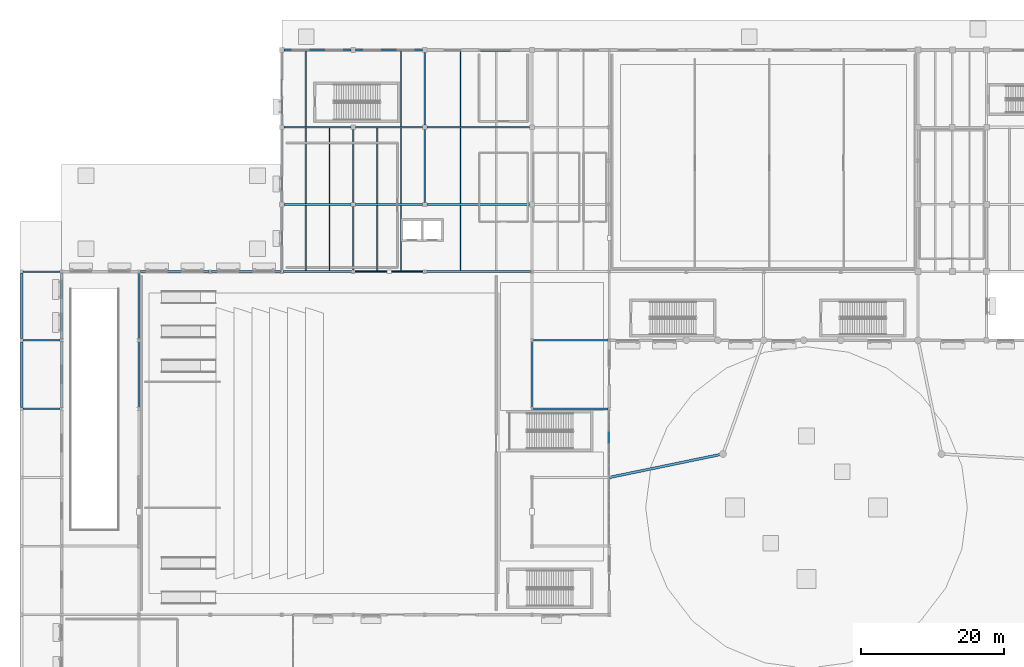
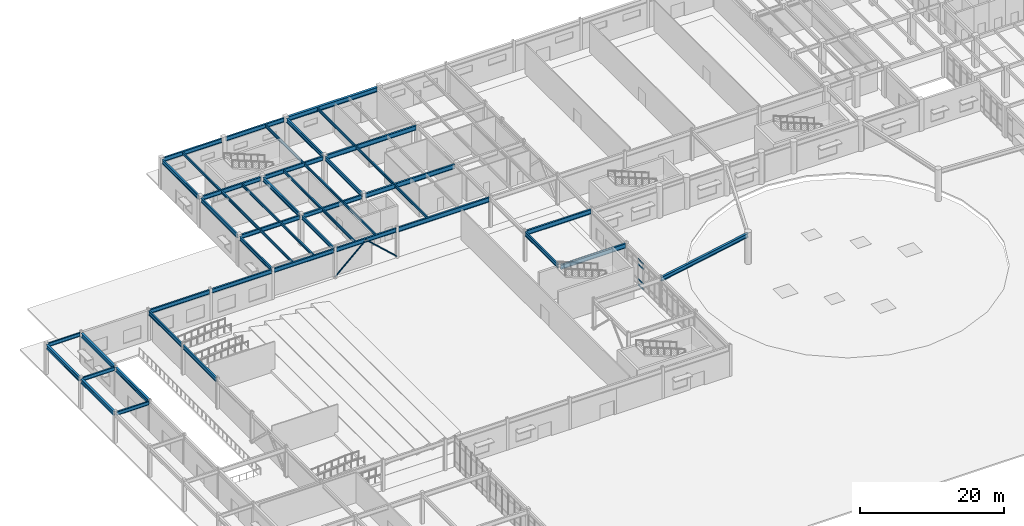
# One storey, part 15 of 54: 47 beams, 6 members, 1 element without a shape of its own.
"""IFC4 building model written with IfcOpenShell, lengths in metres."""

from ifc_helpers import new_model, si_unit, direction, frame, origin, origin_2d, place, context, subcontext, project, spatial, rectangle, hollow_circle, i_section, extrude, material, material_profile, profile_set, type_object, element, aggregate, save


model = new_model("IFC4")

# Units and contexts
model_context = context("Model", 3, precision=1e-05, world=origin(), true_north=direction((0.0, 1.0)))
body_context = subcontext(model_context, "Body", "Model", "MODEL_VIEW")
ifc_project = project(units=[si_unit("LENGTHUNIT", "METRE"), si_unit("AREAUNIT", "SQUARE_METRE"), si_unit("VOLUMEUNIT", "CUBIC_METRE"), si_unit("PLANEANGLEUNIT", "RADIAN"), si_unit("MASSUNIT", "GRAM", prefix="KILO")], contexts=[model_context])

# Site, building, storey
site_placement = place(None, origin())
site = spatial("IfcSite", under=ifc_project, at=site_placement, CompositionType="ELEMENT")
building_placement = place(site_placement, origin())
building = spatial("IfcBuilding", under=site, at=building_placement, Name="Veldera Park Congress Hotel", CompositionType="ELEMENT")
storey_placement = place(building_placement, origin())
storey = spatial("IfcBuildingStorey", under=building, at=storey_placement, Name="L00", CompositionType="ELEMENT", Elevation=0.0)

# Beams
ifc_material_1 = material(Name="Steel ASTM A992 Gr.50", Category="steel")
ifc_material_profile_1 = material_profile(ifc_material_1, i_section(OverallWidth=0.22900390625, OverallDepth=0.612060546875, WebThickness=0.011962890625, FlangeThickness=0.01953125, at=origin_2d()), Name="W24X84")
ifc_profile_set_1 = profile_set([ifc_material_profile_1], Name="Steel ASTM A992 Gr.50")
beam_type_1 = type_object("IfcBeamType", Name="BM-W24", PredefinedType="BEAM", material=ifc_profile_set_1)
for number, where, z_axis, x_axis, name in (
    (1, (-83.574951171875, 7.800048828125, 4.81396484375), (1.0, 0.0, 0.0), (0.0, 1.0, 0.0), "L00 Girder BM-W24 319"),
    (2, (-83.574951171875, 17.39990234375, 4.81396484375), (1.0, 0.0, 0.0), (0.0, 1.0, 0.0), "L00 Girder BM-W24 324"),
    (3, (-83.574951171875, 27.0, 4.81396484375), (1.0, 0.0, 0.0), (0.0, 1.0, 0.0), "L00 Girder BM-W24 336"),
):
    element("IfcBeam", number, at=place(storey_placement, frame(where, z_axis=z_axis, x_axis=x_axis)), inside=storey, type_object=beam_type_1, Name=name, PredefinedType="BEAM", context=body_context, shape_type="SweptSolid", body=[
        extrude(i_section(OverallWidth=0.22900390625, OverallDepth=0.612060546875, WebThickness=0.011962890625, FlangeThickness=0.01953125, at=origin_2d()), origin(), (0.0, 0.0, 1.0), 5.177001953125),
    ])
ifc_material_profile_2 = material_profile(ifc_material_1, i_section(OverallWidth=0.22998046875, OverallDepth=0.616943359375, WebThickness=0.01318359375, FlangeThickness=0.022216796875, at=origin_2d()), Name="W24X94")
ifc_profile_set_2 = profile_set([ifc_material_profile_2], Name="Steel ASTM A992 Gr.50")
beam_type_2 = type_object("IfcBeamType", Name="BM-W24B", PredefinedType="BEAM", material=ifc_profile_set_2)
beam_1_placement = place(storey_placement, frame((-47.39990234375, 27.193603515625, 4.8115234375), z_axis=(0.0, 1.0, 0.0), x_axis=(-1.0, 0.0, 0.0)))
element("IfcBeam", 4, at=beam_1_placement, inside=storey, type_object=beam_type_2, Name="L00 Girder BM-W24B 413", PredefinedType="BEAM", context=body_context, shape_type="SweptSolid", body=[
    extrude(i_section(OverallWidth=0.22998046875, OverallDepth=0.616943359375, WebThickness=0.01318359375, FlangeThickness=0.022216796875, at=origin_2d()), origin(), (0.0, 0.0, 1.0), 8.88134765625),
])
beam_2_placement = place(storey_placement, frame((-37.39990234375, 27.193603515625, 4.8115234375), z_axis=(0.0, 1.0, 0.0), x_axis=(-1.0, 0.0, 0.0)))
element("IfcBeam", 5, at=beam_2_placement, inside=storey, type_object=beam_type_2, Name="L00 Girder BM-W24B 419", PredefinedType="BEAM", context=body_context, shape_type="SweptSolid", body=[
    extrude(i_section(OverallWidth=0.22998046875, OverallDepth=0.616943359375, WebThickness=0.01318359375, FlangeThickness=0.022216796875, at=origin_2d()), origin(), (0.0, 0.0, 1.0), 8.906494140625),
])
ifc_material_profile_3 = material_profile(ifc_material_1, i_section(OverallWidth=0.256103515625, OverallDepth=0.693115234375, WebThickness=0.014404296875, FlangeThickness=0.023681640625, at=origin_2d()), Name="W27X114")
ifc_profile_set_3 = profile_set([ifc_material_profile_3], Name="Steel ASTM A992 Gr.50")
beam_type_3 = type_object("IfcBeamType", Name="BM-W27", PredefinedType="BEAM", material=ifc_profile_set_3)
beam_3_placement = place(storey_placement, frame((-67.39990234375, 8.00341796875, 4.7734375), z_axis=(0.0, 1.0, 0.0), x_axis=(-1.0, 0.0, 0.0)))
element("IfcBeam", 6, at=beam_3_placement, inside=storey, type_object=beam_type_3, Name="L00 Girder BM-W27 409", PredefinedType="BEAM", context=body_context, shape_type="SweptSolid", body=[
    extrude(i_section(OverallWidth=0.256103515625, OverallDepth=0.693115234375, WebThickness=0.014404296875, FlangeThickness=0.023681640625, at=origin_2d()), origin(), (0.0, 0.0, 1.0), 9.193115234375),
])
beam_4_placement = place(storey_placement, frame((-67.39990234375, 17.603515625, 4.7734375), z_axis=(0.0, 1.0, 0.0), x_axis=(-1.0, 0.0, 0.0)))
element("IfcBeam", 7, at=beam_4_placement, inside=storey, type_object=beam_type_3, Name="L00 Girder BM-W27 410", PredefinedType="BEAM", context=body_context, shape_type="SweptSolid", body=[
    extrude(i_section(OverallWidth=0.256103515625, OverallDepth=0.693115234375, WebThickness=0.014404296875, FlangeThickness=0.023681640625, at=origin_2d()), origin(), (0.0, 0.0, 1.0), 9.1884765625),
])
beam_5_placement = place(storey_placement, frame((-47.39990234375, 36.72509765625, 4.7734375), z_axis=(0.0, 1.0, 0.0), x_axis=(-1.0, 0.0, 0.0)))
element("IfcBeam", 8, at=beam_5_placement, inside=storey, type_object=beam_type_3, Name="L00 Girder BM-W27 414", PredefinedType="BEAM", context=body_context, shape_type="SweptSolid", body=[
    extrude(i_section(OverallWidth=0.256103515625, OverallDepth=0.693115234375, WebThickness=0.014404296875, FlangeThickness=0.023681640625, at=origin_2d()), origin(), (0.0, 0.0, 1.0), 10.14990234375),
])
beam_6_placement = place(storey_placement, frame((-47.39990234375, 47.52490234375, 4.7734375), z_axis=(0.0, 1.0, 0.0), x_axis=(-1.0, 0.0, 0.0)))
element("IfcBeam", 9, at=beam_6_placement, inside=storey, type_object=beam_type_3, Name="L00 Girder BM-W27 415", PredefinedType="BEAM", context=body_context, shape_type="SweptSolid", body=[
    extrude(i_section(OverallWidth=0.256103515625, OverallDepth=0.693115234375, WebThickness=0.014404296875, FlangeThickness=0.023681640625, at=origin_2d()), origin(), (0.0, 0.0, 1.0), 10.150146484375),
])
for number, where, z_axis, x_axis, name in (
    (10, (-37.39990234375, 36.699951171875, 4.7734375), (0.0, 1.0, 0.0), (-1.0, 0.0, 0.0), "L00 Girder BM-W27 420"),
    (11, (-27.39990234375, 36.699951171875, 4.7734375), (0.0, 1.0, 0.0), (-1.0, 0.0, 0.0), "L00 Girder BM-W27 421"),
):
    element("IfcBeam", number, at=place(storey_placement, frame(where, z_axis=z_axis, x_axis=x_axis)), inside=storey, type_object=beam_type_3, Name=name, PredefinedType="BEAM", context=body_context, shape_type="SweptSolid", body=[
        extrude(i_section(OverallWidth=0.256103515625, OverallDepth=0.693115234375, WebThickness=0.014404296875, FlangeThickness=0.023681640625, at=origin_2d()), origin(), (0.0, 0.0, 1.0), 10.199951171875),
    ])
beam_7_placement = place(storey_placement, frame((-27.39990234375, 47.5, 4.7734375), z_axis=(0.0, 1.0, 0.0), x_axis=(-1.0, 0.0, 0.0)))
element("IfcBeam", 12, at=beam_7_placement, inside=storey, type_object=beam_type_3, Name="L00 Girder BM-W27 422", PredefinedType="BEAM", context=body_context, shape_type="SweptSolid", body=[
    extrude(i_section(OverallWidth=0.256103515625, OverallDepth=0.693115234375, WebThickness=0.014404296875, FlangeThickness=0.023681640625, at=origin_2d()), origin(), (0.0, 0.0, 1.0), 10.175048828125),
])
beam_8_placement = place(storey_placement, frame((-12.39990234375, 8.00341796875, 4.7734375), z_axis=(0.0, 1.0, 0.0), x_axis=(-1.0, 0.0, 0.0)))
element("IfcBeam", 13, at=beam_8_placement, inside=storey, type_object=beam_type_3, Name="L00 Girder BM-W27 424", PredefinedType="BEAM", context=body_context, shape_type="SweptSolid", body=[
    extrude(i_section(OverallWidth=0.256103515625, OverallDepth=0.693115234375, WebThickness=0.014404296875, FlangeThickness=0.023681640625, at=origin_2d()), origin(), (0.0, 0.0, 1.0), 9.193115234375),
])
ifc_material_profile_4 = material_profile(ifc_material_1, i_section(OverallWidth=0.25390625, OverallDepth=0.700927734375, WebThickness=0.015380859375, FlangeThickness=0.02783203125, at=origin_2d()), Name="W27X129")
ifc_profile_set_4 = profile_set([ifc_material_profile_4], Name="Steel ASTM A992 Gr.50")
beam_type_4 = type_object("IfcBeamType", Name="BM-W27B", PredefinedType="BEAM", material=ifc_profile_set_4)
beam_9_placement = place(storey_placement, frame((-67.197021484375, 27.0, 4.76953125), z_axis=(1.0, 0.0, 0.0), x_axis=(0.0, 1.0, 0.0)))
element("IfcBeam", 14, at=beam_9_placement, inside=storey, type_object=beam_type_4, Name="L00 Girder BM-W27B 337", PredefinedType="BEAM", context=body_context, shape_type="SweptSolid", body=[
    extrude(i_section(OverallWidth=0.25390625, OverallDepth=0.700927734375, WebThickness=0.015380859375, FlangeThickness=0.02783203125, at=origin_2d()), origin(), (0.0, 0.0, 1.0), 9.5986328125),
])
for number, where, z_axis, x_axis, name in (
    (15, (-57.201416015625, 27.0, 4.76953125), (1.0, 0.0, 0.0), (0.0, 1.0, 0.0), "L00 Girder BM-W27B 338"),
    (16, (-47.201416015625, 27.0, 4.76953125), (1.0, 0.0, 0.0), (0.0, 1.0, 0.0), "L00 Girder BM-W27B 339"),
    (17, (-37.201416015625, 27.0, 4.76953125), (1.0, 0.0, 0.0), (0.0, 1.0, 0.0), "L00 Girder BM-W27B 340"),
):
    element("IfcBeam", number, at=place(storey_placement, frame(where, z_axis=z_axis, x_axis=x_axis)), inside=storey, type_object=beam_type_4, Name=name, PredefinedType="BEAM", context=body_context, shape_type="SweptSolid", body=[
        extrude(i_section(OverallWidth=0.25390625, OverallDepth=0.700927734375, WebThickness=0.015380859375, FlangeThickness=0.02783203125, at=origin_2d()), origin(), (0.0, 0.0, 1.0), 9.60302734375),
    ])
beam_10_placement = place(storey_placement, frame((-47.074951171875, 36.39990234375, 4.76953125), z_axis=(1.0, 0.0, 0.0), x_axis=(0.0, 1.0, 0.0)))
element("IfcBeam", 18, at=beam_10_placement, inside=storey, type_object=beam_type_4, Name="L00 Girder BM-W27B 353", PredefinedType="BEAM", context=body_context, shape_type="SweptSolid", body=[
    extrude(i_section(OverallWidth=0.25390625, OverallDepth=0.700927734375, WebThickness=0.015380859375, FlangeThickness=0.02783203125, at=origin_2d()), origin(), (0.0, 0.0, 1.0), 9.375),
])
beam_11_placement = place(storey_placement, frame((-37.10009765625, 36.39990234375, 4.76953125), z_axis=(1.0, 0.0, 0.0), x_axis=(0.0, 1.0, 0.0)))
element("IfcBeam", 19, at=beam_11_placement, inside=storey, type_object=beam_type_4, Name="L00 Girder BM-W27B 354", PredefinedType="BEAM", context=body_context, shape_type="SweptSolid", body=[
    extrude(i_section(OverallWidth=0.25390625, OverallDepth=0.700927734375, WebThickness=0.015380859375, FlangeThickness=0.02783203125, at=origin_2d()), origin(), (0.0, 0.0, 1.0), 9.400146484375),
])
beam_12_placement = place(storey_placement, frame((-47.074951171875, 47.199951171875, 4.76953125), z_axis=(1.0, 0.0, 0.0), x_axis=(0.0, 1.0, 0.0)))
element("IfcBeam", 20, at=beam_12_placement, inside=storey, type_object=beam_type_4, Name="L00 Girder BM-W27B 363", PredefinedType="BEAM", context=body_context, shape_type="SweptSolid", body=[
    extrude(i_section(OverallWidth=0.25390625, OverallDepth=0.700927734375, WebThickness=0.015380859375, FlangeThickness=0.02783203125, at=origin_2d()), origin(), (0.0, 0.0, 1.0), 9.375),
])
beam_13_placement = place(storey_placement, frame((-37.10009765625, 47.199951171875, 4.76953125), z_axis=(1.0, 0.0, 0.0), x_axis=(0.0, 1.0, 0.0)))
element("IfcBeam", 21, at=beam_13_placement, inside=storey, type_object=beam_type_4, Name="L00 Girder BM-W27B 364", PredefinedType="BEAM", context=body_context, shape_type="SweptSolid", body=[
    extrude(i_section(OverallWidth=0.25390625, OverallDepth=0.700927734375, WebThickness=0.015380859375, FlangeThickness=0.02783203125, at=origin_2d()), origin(), (0.0, 0.0, 1.0), 9.400146484375),
])
ifc_material_profile_5 = material_profile(ifc_material_1, i_section(OverallWidth=0.25390625, OverallDepth=0.700927734375, WebThickness=0.015380859375, FlangeThickness=0.02783203125, at=origin_2d()), Name="W27X129")
ifc_profile_set_5 = profile_set([ifc_material_profile_5], Name="Steel ASTM A992 Gr.50")
beam_type_5 = type_object("IfcBeamType", Name="BM-W27BE", PredefinedType="BEAM", material=ifc_profile_set_5)
for number, where, z_axis, x_axis, name in (
    (22, (-47.074951171875, 58.0, 4.76953125), (1.0, 0.0, 0.0), (0.0, 1.0, 0.0), "L00 Girder BM-W27BE 371"),
    (23, (-37.074951171875, 58.0, 4.76953125), (1.0, 0.0, 0.0), (0.0, 1.0, 0.0), "L00 Girder BM-W27BE 372"),
):
    element("IfcBeam", number, at=place(storey_placement, frame(where, z_axis=z_axis, x_axis=x_axis)), inside=storey, type_object=beam_type_5, Name=name, PredefinedType="BEAM", context=body_context, shape_type="SweptSolid", body=[
        extrude(i_section(OverallWidth=0.25390625, OverallDepth=0.700927734375, WebThickness=0.015380859375, FlangeThickness=0.02783203125, at=origin_2d()), origin(), (0.0, 0.0, 1.0), 9.349853515625),
    ])
ifc_material_profile_6 = material_profile(ifc_material_1, i_section(OverallWidth=0.35498046875, OverallDepth=0.696044921875, WebThickness=0.015380859375, FlangeThickness=0.02490234375, at=origin_2d()), Name="W27X146")
ifc_profile_set_6 = profile_set([ifc_material_profile_6], Name="Steel ASTM A992 Gr.50")
beam_type_6 = type_object("IfcBeamType", Name="BM-W27E", PredefinedType="BEAM", material=ifc_profile_set_6)
beam_14_placement = place(storey_placement, frame((-83.800048828125, 8.02490234375, 4.77197265625), z_axis=(0.0, 1.0, 0.0), x_axis=(-1.0, 0.0, 0.0)))
element("IfcBeam", 24, at=beam_14_placement, inside=storey, type_object=beam_type_6, Name="L00 Girder BM-W27E 391", PredefinedType="BEAM", context=body_context, shape_type="SweptSolid", body=[
    extrude(i_section(OverallWidth=0.35498046875, OverallDepth=0.696044921875, WebThickness=0.015380859375, FlangeThickness=0.02490234375, at=origin_2d()), origin(), (0.0, 0.0, 1.0), 9.150146484375),
])
beam_15_placement = place(storey_placement, frame((-83.800048828125, 17.625, 4.77197265625), z_axis=(0.0, 1.0, 0.0), x_axis=(-1.0, 0.0, 0.0)))
element("IfcBeam", 25, at=beam_15_placement, inside=storey, type_object=beam_type_6, Name="L00 Girder BM-W27E 392", PredefinedType="BEAM", context=body_context, shape_type="SweptSolid", body=[
    extrude(i_section(OverallWidth=0.35498046875, OverallDepth=0.696044921875, WebThickness=0.015380859375, FlangeThickness=0.02490234375, at=origin_2d()), origin(), (0.0, 0.0, 1.0), 9.14990234375),
])
for number, where, z_axis, x_axis, name in (
    (26, (-78.199951171875, 7.990478515625, 4.77197265625), (0.0, 1.0, 0.0), (-1.0, 0.0, 0.0), "L00 Girder BM-W27E 400"),
    (27, (-78.199951171875, 17.590576171875, 4.77197265625), (0.0, 1.0, 0.0), (-1.0, 0.0, 0.0), "L00 Girder BM-W27E 401"),
):
    element("IfcBeam", number, at=place(storey_placement, frame(where, z_axis=z_axis, x_axis=x_axis)), inside=storey, type_object=beam_type_6, Name=name, PredefinedType="BEAM", context=body_context, shape_type="SweptSolid", body=[
        extrude(i_section(OverallWidth=0.35498046875, OverallDepth=0.696044921875, WebThickness=0.015380859375, FlangeThickness=0.02490234375, at=origin_2d()), origin(), (0.0, 0.0, 1.0), 9.218994140625),
    ])
beam_16_placement = place(storey_placement, frame((-1.60009765625, -1.800048828125, 4.7900390625), z_axis=(0.979280770747, 0.202507214796, 0.0), x_axis=(-0.202507214796, 0.979280770747, 0.0)))
element("IfcBeam", 28, at=beam_16_placement, inside=storey, type_object=beam_type_6, Name="L00 Skybridge Support Girder A W", PredefinedType="BEAM", context=body_context, shape_type="SweptSolid", body=[
    extrude(i_section(OverallWidth=0.35498046875, OverallDepth=0.696044921875, WebThickness=0.015380859375, FlangeThickness=0.02490234375, at=origin_2d()), origin(), (0.0, 0.0, 1.0), 16.24658203125),
])
ifc_material_profile_7 = material_profile(ifc_material_1, i_section(OverallWidth=0.26708984375, OverallDepth=0.779052734375, WebThickness=0.0166015625, FlangeThickness=0.030029296875, at=origin_2d()), Name="W30X148")
ifc_profile_set_7 = profile_set([ifc_material_profile_7], Name="Steel ASTM A992 Gr.50")
beam_type_7 = type_object("IfcBeamType", Name="BM-W30", PredefinedType="BEAM", material=ifc_profile_set_7)
for number, where, z_axis, x_axis, name in (
    (29, (-12.197998046875, 7.800048828125, 4.73046875), (1.0, 0.0, 0.0), (0.0, 1.0, 0.0), "L00 Girder BM-W30 320"),
    (30, (-12.197998046875, 17.39990234375, 4.73046875), (1.0, 0.0, 0.0), (0.0, 1.0, 0.0), "L00 Girder BM-W30 325"),
):
    element("IfcBeam", number, at=place(storey_placement, frame(where, z_axis=z_axis, x_axis=x_axis)), inside=storey, type_object=beam_type_7, Name=name, PredefinedType="BEAM", context=body_context, shape_type="SweptSolid", body=[
        extrude(i_section(OverallWidth=0.26708984375, OverallDepth=0.779052734375, WebThickness=0.0166015625, FlangeThickness=0.030029296875, at=origin_2d()), origin(), (0.0, 0.0, 1.0), 10.39990234375),
    ])
beam_17_placement = place(storey_placement, frame((-27.201416015625, 27.0, 4.73046875), z_axis=(1.0, 0.0, 0.0), x_axis=(0.0, 1.0, 0.0)))
element("IfcBeam", 31, at=beam_17_placement, inside=storey, type_object=beam_type_7, Name="L00 Girder BM-W30 341", PredefinedType="BEAM", context=body_context, shape_type="SweptSolid", body=[
    extrude(i_section(OverallWidth=0.26708984375, OverallDepth=0.779052734375, WebThickness=0.0166015625, FlangeThickness=0.030029296875, at=origin_2d()), origin(), (0.0, 0.0, 1.0), 14.598388671875),
])
for number, where, z_axis, x_axis, name in (
    (32, (-27.10009765625, 36.39990234375, 4.73046875), (1.0, 0.0, 0.0), (0.0, 1.0, 0.0), "L00 Girder BM-W30 355"),
    (33, (-27.10009765625, 47.199951171875, 4.73046875), (1.0, 0.0, 0.0), (0.0, 1.0, 0.0), "L00 Girder BM-W30 365"),
):
    element("IfcBeam", number, at=place(storey_placement, frame(where, z_axis=z_axis, x_axis=x_axis)), inside=storey, type_object=beam_type_7, Name=name, PredefinedType="BEAM", context=body_context, shape_type="SweptSolid", body=[
        extrude(i_section(OverallWidth=0.26708984375, OverallDepth=0.779052734375, WebThickness=0.0166015625, FlangeThickness=0.030029296875, at=origin_2d()), origin(), (0.0, 0.0, 1.0), 14.375),
    ])
ifc_material_profile_8 = material_profile(ifc_material_1, i_section(OverallWidth=0.382080078125, OverallDepth=0.779052734375, WebThickness=0.01806640625, FlangeThickness=0.030029296875, at=origin_2d()), Name="W30X191")
ifc_profile_set_8 = profile_set([ifc_material_profile_8], Name="Steel ASTM A992 Gr.50")
beam_type_8 = type_object("IfcBeamType", Name="BM-W30E", PredefinedType="BEAM", material=ifc_profile_set_8)
beam_18_placement = place(storey_placement, frame((-27.074951171875, 58.0, 4.73046875), z_axis=(1.0, 0.0, 0.0), x_axis=(0.0, 1.0, 0.0)))
element("IfcBeam", 34, at=beam_18_placement, inside=storey, type_object=beam_type_8, Name="L00 Girder BM-W30E 373", PredefinedType="BEAM", context=body_context, shape_type="SweptSolid", body=[
    extrude(i_section(OverallWidth=0.382080078125, OverallDepth=0.779052734375, WebThickness=0.01806640625, FlangeThickness=0.030029296875, at=origin_2d()), origin(), (0.0, 0.0, 1.0), 14.349853515625),
])

# Members
ifc_material_2 = material(Name="Steel ASTM A500 Gr.C", Category="steel")
ifc_material_profile_9 = material_profile(ifc_material_2, hollow_circle(Radius=0.109619140625, WallThickness=0.010009765625, at=origin_2d()), Name="CHS 219.1x10")
ifc_profile_set_9 = profile_set([ifc_material_profile_9], Name="Steel ASTM A500 Gr.C")
member_type_1 = type_object("IfcMemberType", Name="BRC-CHS219", PredefinedType="BRACE", material=ifc_profile_set_9)
for number, where, z_axis, x_axis, name in (
    (35, (-37.39990234375, 27.0, 0.199951171875), (0.738164700244, 0.0, 0.674620541722), (0.0, 1.0, 0.0), "L00 Chevron Brace 8A"),
    (36, (-27.39990234375, 27.0, 0.199951171875), (-0.738164700244, 0.0, 0.674620541722), (0.0, -1.0, 0.0), "L00 Chevron Brace 8B"),
):
    element("IfcMember", number, at=place(storey_placement, frame(where, z_axis=z_axis, x_axis=x_axis)), inside=storey, type_object=member_type_1, Name=name, PredefinedType="BRACE", context=body_context, shape_type="SweptSolid", body=[
        extrude(hollow_circle(Radius=0.109619140625, WallThickness=0.010009765625, at=origin_2d()), origin(), (0.0, 0.0, 1.0), 6.7734375),
    ])

# Curtain wall, members
ifc_material_3 = material(Name="Low-E Triple Insulating Glass Unit (SHGC 0.22)", Category="glass")
curtain_wall_type = type_object("IfcCurtainWallType", Name="CW-POD", PredefinedType="NOTDEFINED", material=ifc_material_3)
curtain_wall_placement = place(storey_placement, origin())
curtain_wall = element("IfcCurtainWall", 37, at=curtain_wall_placement, inside=storey, type_object=curtain_wall_type, Name="L00 Curtain Wall CW3-V1E-L00-004", PredefinedType="NOTDEFINED")
ifc_material_4 = material(Name="Anodised Aluminium Alloy 6063-T6", Category="aluminium")
ifc_material_profile_10 = material_profile(ifc_material_4, rectangle(XDim=0.080078125, YDim=0.179931640625, at=origin_2d()), Name="ALU 80x180")
ifc_profile_set_10 = profile_set([ifc_material_profile_10], Name="Anodised Aluminium Alloy 6063-T6")
member_type_2 = type_object("IfcMemberType", Name="CWT-180", PredefinedType="USERDEFINED", material=ifc_profile_set_10)
member_1_placement = place(storey_placement, frame((-1.60009765625, 3.094970703125, 0.0400390625), z_axis=(0.0, 1.0, 0.0), x_axis=(-1.0, 0.0, 0.0)))
member_1 = element("IfcMember", 38, at=member_1_placement, type_object=member_type_2, Name="CW-POD transom 1.1", ObjectType="TRANSOM", PredefinedType="USERDEFINED", context=body_context, shape_type="SweptSolid", body=[
    extrude(rectangle(XDim=0.080078125, YDim=0.179931640625, at=origin_2d()), origin(), (0.0, 0.0, 1.0), 1.398193359375),
])
member_2_placement = place(storey_placement, frame((-1.60009765625, 3.094970703125, 1.0), z_axis=(0.0, 1.0, 0.0), x_axis=(-1.0, 0.0, 0.0)))
member_2 = element("IfcMember", 39, at=member_2_placement, type_object=member_type_2, Name="CW-POD transom 1.2", ObjectType="TRANSOM", PredefinedType="USERDEFINED", context=body_context, shape_type="SweptSolid", body=[
    extrude(rectangle(XDim=0.080078125, YDim=0.179931640625, at=origin_2d()), origin(), (0.0, 0.0, 1.0), 1.398193359375),
])
member_3_placement = place(storey_placement, frame((-1.60009765625, 3.094970703125, 3.52197265625), z_axis=(0.0, 1.0, 0.0), x_axis=(-1.0, 0.0, 0.0)))
member_3 = element("IfcMember", 40, at=member_3_placement, type_object=member_type_2, Name="CW-POD transom 1.3", ObjectType="TRANSOM", PredefinedType="USERDEFINED", context=body_context, shape_type="SweptSolid", body=[
    extrude(rectangle(XDim=0.080078125, YDim=0.179931640625, at=origin_2d()), origin(), (0.0, 0.0, 1.0), 1.398193359375),
])
member_4_placement = place(storey_placement, frame((-1.60009765625, 3.094970703125, 4.382080078125), z_axis=(0.0, 1.0, 0.0), x_axis=(-1.0, 0.0, 0.0)))
member_4 = element("IfcMember", 41, at=member_4_placement, type_object=member_type_2, Name="CW-POD transom 1.4", ObjectType="TRANSOM", PredefinedType="USERDEFINED", context=body_context, shape_type="SweptSolid", body=[
    extrude(rectangle(XDim=0.080078125, YDim=0.179931640625, at=origin_2d()), origin(), (0.0, 0.0, 1.0), 1.398193359375),
])
aggregate(curtain_wall, [member_1, member_2, member_3, member_4])

# Beams
ifc_material_profile_11 = material_profile(ifc_material_1, i_section(OverallWidth=0.19091796875, OverallDepth=0.45703125, WebThickness=0.009033203125, FlangeThickness=0.014404296875, at=origin_2d()), Name="W18X50")
ifc_profile_set_11 = profile_set([ifc_material_profile_11], Name="Steel ASTM A992 Gr.50")
beam_type_9 = type_object("IfcBeamType", Name="JST-W18", PredefinedType="JOIST", material=ifc_profile_set_11)
for number, where, z_axis, x_axis, name in (
    (42, (-44.066650390625, 27.126953125, 4.8916015625), (0.0, 1.0, 0.0), (-1.0, 0.0, 0.0), "L00 Floor Joist JST-W18 510"),
    (43, (-40.7333984375, 27.126953125, 4.8916015625), (0.0, 1.0, 0.0), (-1.0, 0.0, 0.0), "L00 Floor Joist JST-W18 511"),
    (44, (-34.066650390625, 27.126953125, 4.8916015625), (0.0, 1.0, 0.0), (-1.0, 0.0, 0.0), "L00 Floor Joist JST-W18 512"),
    (45, (-30.7333984375, 27.126953125, 4.8916015625), (0.0, 1.0, 0.0), (-1.0, 0.0, 0.0), "L00 Floor Joist JST-W18 513"),
):
    element("IfcBeam", number, at=place(storey_placement, frame(where, z_axis=z_axis, x_axis=x_axis)), inside=storey, type_object=beam_type_9, Name=name, PredefinedType="JOIST", context=body_context, shape_type="SweptSolid", body=[
        extrude(i_section(OverallWidth=0.19091796875, OverallDepth=0.45703125, WebThickness=0.009033203125, FlangeThickness=0.014404296875, at=origin_2d()), origin(), (0.0, 0.0, 1.0), 9.14599609375),
    ])
beam_19_placement = place(storey_placement, frame((-22.39990234375, 27.133544921875, 4.8916015625), z_axis=(0.0, 1.0, 0.0), x_axis=(-1.0, 0.0, 0.0)))
element("IfcBeam", 46, at=beam_19_placement, inside=storey, type_object=beam_type_9, Name="L00 Floor Joist JST-W18 514", PredefinedType="JOIST", context=body_context, shape_type="SweptSolid", body=[
    extrude(i_section(OverallWidth=0.19091796875, OverallDepth=0.45703125, WebThickness=0.009033203125, FlangeThickness=0.014404296875, at=origin_2d()), origin(), (0.0, 0.0, 1.0), 9.133056640625),
])
for number, where, z_axis, x_axis, name in (
    (47, (-44.066650390625, 36.527099609375, 4.8916015625), (0.0, 1.0, 0.0), (-1.0, 0.0, 0.0), "L00 Floor Joist JST-W18 525"),
    (48, (-40.7333984375, 36.527099609375, 4.8916015625), (0.0, 1.0, 0.0), (-1.0, 0.0, 0.0), "L00 Floor Joist JST-W18 526"),
    (49, (-34.066650390625, 36.527099609375, 4.8916015625), (0.0, 1.0, 0.0), (-1.0, 0.0, 0.0), "L00 Floor Joist JST-W18 527"),
    (50, (-30.7333984375, 36.527099609375, 4.8916015625), (0.0, 1.0, 0.0), (-1.0, 0.0, 0.0), "L00 Floor Joist JST-W18 528"),
):
    element("IfcBeam", number, at=place(storey_placement, frame(where, z_axis=z_axis, x_axis=x_axis)), inside=storey, type_object=beam_type_9, Name=name, PredefinedType="JOIST", context=body_context, shape_type="SweptSolid", body=[
        extrude(i_section(OverallWidth=0.19091796875, OverallDepth=0.45703125, WebThickness=0.009033203125, FlangeThickness=0.014404296875, at=origin_2d()), origin(), (0.0, 0.0, 1.0), 10.5458984375),
    ])
beam_20_placement = place(storey_placement, frame((-22.39990234375, 36.533447265625, 4.8916015625), z_axis=(0.0, 1.0, 0.0), x_axis=(-1.0, 0.0, 0.0)))
element("IfcBeam", 51, at=beam_20_placement, inside=storey, type_object=beam_type_9, Name="L00 Floor Joist JST-W18 529", PredefinedType="JOIST", context=body_context, shape_type="SweptSolid", body=[
    extrude(i_section(OverallWidth=0.19091796875, OverallDepth=0.45703125, WebThickness=0.009033203125, FlangeThickness=0.014404296875, at=origin_2d()), origin(), (0.0, 0.0, 1.0), 10.532958984375),
])
for number, where, z_axis, x_axis, name in (
    (52, (-44.066650390625, 47.326904296875, 4.8916015625), (0.0, 1.0, 0.0), (-1.0, 0.0, 0.0), "L00 Floor Joist JST-W18 537"),
    (53, (-30.7333984375, 47.326904296875, 4.8916015625), (0.0, 1.0, 0.0), (-1.0, 0.0, 0.0), "L00 Floor Joist JST-W18 538"),
):
    element("IfcBeam", number, at=place(storey_placement, frame(where, z_axis=z_axis, x_axis=x_axis)), inside=storey, type_object=beam_type_9, Name=name, PredefinedType="JOIST", context=body_context, shape_type="SweptSolid", body=[
        extrude(i_section(OverallWidth=0.19091796875, OverallDepth=0.45703125, WebThickness=0.009033203125, FlangeThickness=0.014404296875, at=origin_2d()), origin(), (0.0, 0.0, 1.0), 10.546142578125),
    ])
beam_21_placement = place(storey_placement, frame((-22.39990234375, 47.33349609375, 4.8916015625), z_axis=(0.0, 1.0, 0.0), x_axis=(-1.0, 0.0, 0.0)))
element("IfcBeam", 54, at=beam_21_placement, inside=storey, type_object=beam_type_9, Name="L00 Floor Joist JST-W18 539", PredefinedType="JOIST", context=body_context, shape_type="SweptSolid", body=[
    extrude(i_section(OverallWidth=0.19091796875, OverallDepth=0.45703125, WebThickness=0.009033203125, FlangeThickness=0.014404296875, at=origin_2d()), origin(), (0.0, 0.0, 1.0), 10.4755859375),
])

save(model, "model.ifc")
